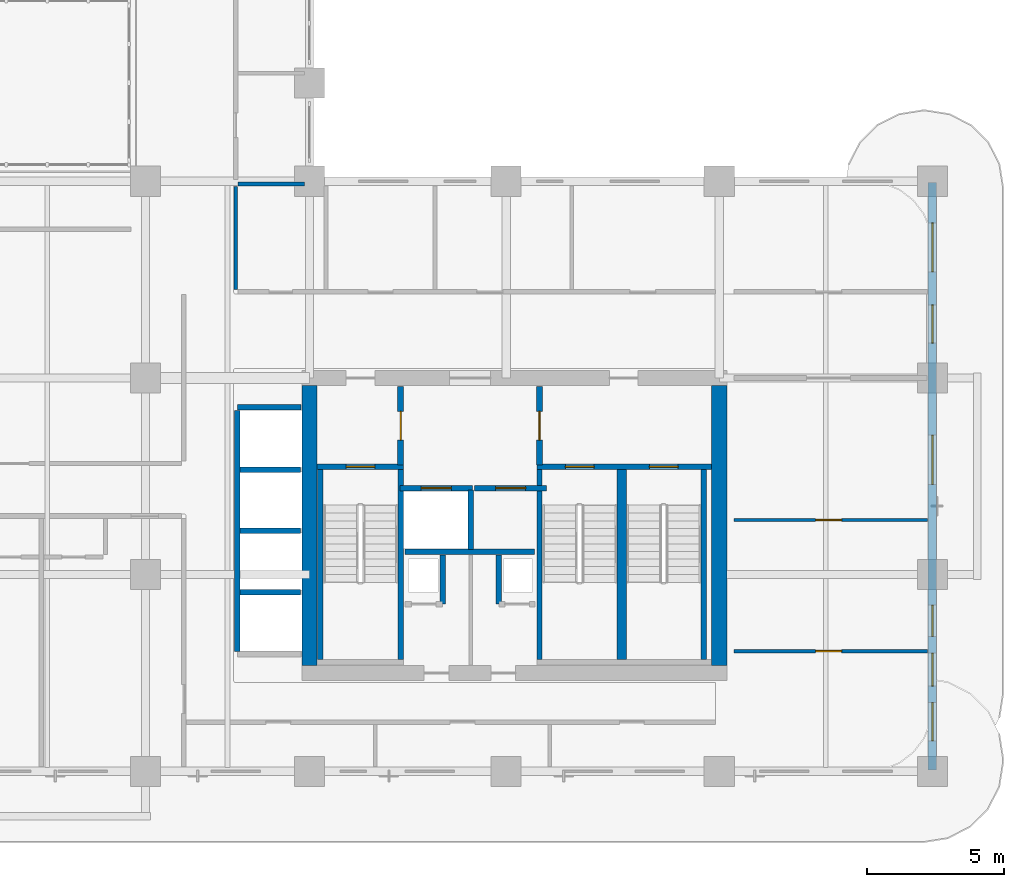
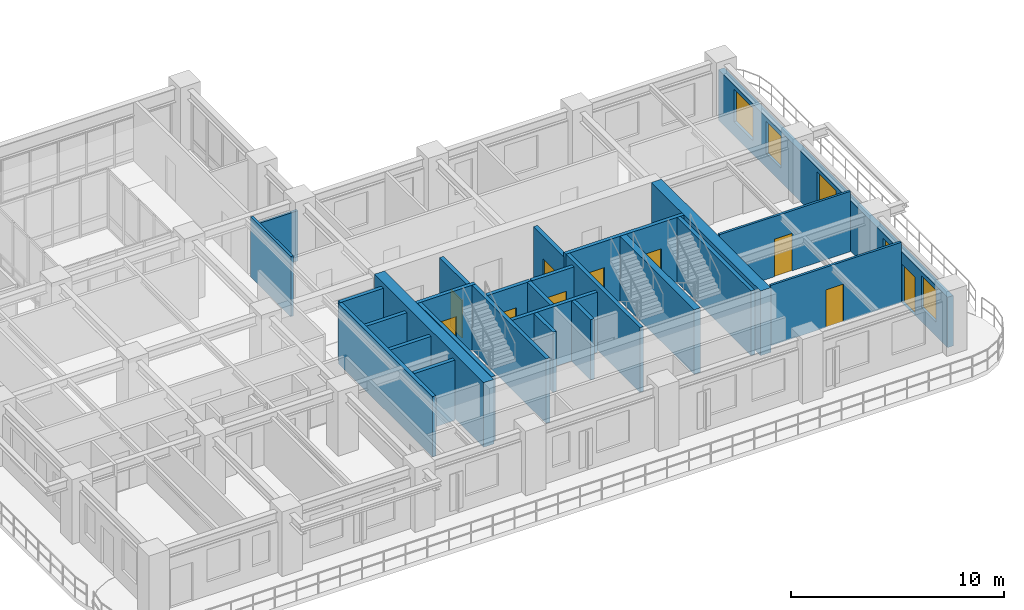
# One storey, part 14 of 22: 27 walls, 10 doors, 5 windows, 15 openings.
"""IFC4 building model written with IfcOpenShell, lengths in metres."""

from ifc_helpers import new_model, si_unit, derived_unit, direction, frame, frame_2d, origin, place, context, subcontext, project, spatial, rectangle, extrude, source, transform, mapped, material, layer, layer_set, type_object, type_shapes, element, fill, save


model = new_model("IFC4")

# Units and contexts
model_context = context("Model", 3, precision=1e-05, world=origin(), true_north=direction((0.0, 1.0)))
body_context = subcontext(model_context, "Body", "Model", "MODEL_VIEW")
ifc_project = project(units=[si_unit("LENGTHUNIT", "METRE"), si_unit("AREAUNIT", "SQUARE_METRE"), si_unit("VOLUMEUNIT", "CUBIC_METRE"), si_unit("PLANEANGLEUNIT", "RADIAN"), si_unit("MASSUNIT", "GRAM", prefix="KILO"), si_unit("THERMODYNAMICTEMPERATUREUNIT", "KELVIN"), si_unit("POWERUNIT", "WATT"), derived_unit("THERMALTRANSMITTANCEUNIT", [(si_unit("POWERUNIT", "WATT"), 1), (si_unit("AREAUNIT", "SQUARE_METRE"), -1), (si_unit("THERMODYNAMICTEMPERATUREUNIT", "KELVIN"), -1)])], contexts=[model_context])

# Site, building, storey
site_placement = place(None, origin())
site = spatial("IfcSite", under=ifc_project, at=site_placement, CompositionType="ELEMENT")
building_placement = place(site_placement, origin())
building = spatial("IfcBuilding", under=site, at=building_placement, Name="Zahravan Archway Hotel and Residences", CompositionType="ELEMENT")
storey_placement = place(building_placement, frame((0.0, 0.0, 76.800048828125)))
storey = spatial("IfcBuildingStorey", under=building, at=storey_placement, Name="L18", CompositionType="ELEMENT", Elevation=76.800048828125)

# Walls
ifc_material_1 = material(Name="Concrete C70/85", Category="concrete")
ifc_layer_1 = layer(ifc_material_1, 0.550048828125, Name="Concrete C70/85", Category="concrete")
ifc_layer_set_1 = layer_set([ifc_layer_1], Name="Concrete C70/85")
wall_type_1 = type_object("IfcWallType", Name="CW-CORE-550", PredefinedType="SHEAR", material=ifc_layer_set_1)
for number, where, z_axis, x_axis, name in (
    (1, (34.800048828125, 3.875, 0.0), (0.0, 0.0, 1.0), (0.0, 1.0, 0.0), "L18 Core A Shear W Wall 550 mm"),
    (2, (49.800048828125, 3.875, 0.0), (0.0, 0.0, 1.0), (0.0, 1.0, 0.0), "L18 Core A Shear E Wall 550 mm"),
):
    element("IfcWall", number, at=place(storey_placement, frame(where, z_axis=z_axis, x_axis=x_axis)), inside=storey, type_object=wall_type_1, Name=name, PredefinedType="SHEAR", context=body_context, shape_type="SweptSolid", body=[
        extrude(rectangle(XDim=10.25, YDim=0.550048828125, at=frame_2d((5.125, 0.0))), origin(), (0.0, 0.0, 1.0), 3.699951171875),
    ])

# Wall, openings, door, windows
ifc_material_2 = material(Name="Agra Buff Sandstone & Insulated Backup", Category="masonry")
ifc_layer_2 = layer(ifc_material_2, 0.320068359375, Name="Agra Buff Sandstone & Insulated Backup", Category="masonry")
ifc_layer_set_2 = layer_set([ifc_layer_2], Name="Agra Buff Sandstone & Insulated Backup")
wall_type_2 = type_object("IfcWallType", Name="EW-SAND-320", PredefinedType="SOLIDWALL", material=ifc_layer_set_2)
wall_1_placement = place(storey_placement, frame((57.60009765625, 0.050048828125, 0.0), z_axis=(0.0, 0.0, 1.0), x_axis=(0.0, 1.0, 0.0)))
wall_1 = element("IfcWall", 3, at=wall_1_placement, inside=storey, type_object=wall_type_2, Name="L18 Exterior Sandstone Wall WA-E", PredefinedType="SOLIDWALL", context=body_context, shape_type="SweptSolid", body=[
    extrude(rectangle(XDim=21.5, YDim=0.320068359375, at=frame_2d((10.75, 0.0))), origin(), (0.0, 0.0, 1.0), 2.885009765625),
])
opening_1_placement = place(wall_1_placement, frame((3.072021484375, 0.0, 0.0)))
opening_1 = element("IfcOpeningElement", 4, at=opening_1_placement, cuts=wall_1, Name="Opening ED-BL1", PredefinedType="OPENING", context=body_context, shape_type="SweptSolid", body=[
    extrude(rectangle(XDim=1.199951171875, YDim=2.199951171875, at=frame_2d((0.60009765625, 1.10009765625))), frame((0.0, 0.169921875, 0.0), z_axis=(0.0, -1.0, 0.0), x_axis=(1.0, 0.0, 0.0)), (0.0, 0.0, 1.0), 0.340087890625),
])
opening_2_placement = place(wall_1_placement, frame((1.06103515625, 0.0, 0.800048828125)))
opening_2 = element("IfcOpeningElement", 5, at=opening_2_placement, cuts=wall_1, Name="Opening W-03", PredefinedType="OPENING", context=body_context, shape_type="SweptSolid", body=[
    extrude(rectangle(XDim=1.39990234375, YDim=1.85009765625, at=frame_2d((0.699951171875, 0.925048828125))), frame((0.0, 0.169921875, 0.0), z_axis=(0.0, -1.0, 0.0), x_axis=(1.0, 0.0, 0.0)), (0.0, 0.0, 1.0), 0.340087890625),
])
opening_3_placement = place(wall_1_placement, frame((4.885986328125, 0.0, 0.800048828125)))
opening_3 = element("IfcOpeningElement", 6, at=opening_3_placement, cuts=wall_1, Name="Opening W-05", PredefinedType="OPENING", context=body_context, shape_type="SweptSolid", body=[
    extrude(rectangle(XDim=1.14990234375, YDim=1.800048828125, at=frame_2d((0.574951171875, 0.89990234375))), frame((0.0, 0.169921875, 0.0), z_axis=(0.0, -1.0, 0.0), x_axis=(1.0, 0.0, 0.0)), (0.0, 0.0, 1.0), 0.340087890625),
])
opening_4_placement = place(wall_1_placement, frame((10.4541015625, 0.0, 0.800048828125)))
opening_4 = element("IfcOpeningElement", 7, at=opening_4_placement, cuts=wall_1, Name="Opening W-02", PredefinedType="OPENING", context=body_context, shape_type="SweptSolid", body=[
    extrude(rectangle(XDim=1.800048828125, YDim=1.85009765625, at=frame_2d((0.89990234375, 0.925048828125))), frame((0.0, 0.169921875, 0.0), z_axis=(0.0, -1.0, 0.0), x_axis=(1.0, 0.0, 0.0)), (0.0, 0.0, 1.0), 0.340087890625),
])
opening_5_placement = place(wall_1_placement, frame((15.62109375, 0.0, 0.800048828125)))
opening_5 = element("IfcOpeningElement", 8, at=opening_5_placement, cuts=wall_1, Name="Opening W-03", PredefinedType="OPENING", context=body_context, shape_type="SweptSolid", body=[
    extrude(rectangle(XDim=1.39990234375, YDim=1.85009765625, at=frame_2d((0.699951171875, 0.925048828125))), frame((0.0, 0.169921875, 0.0), z_axis=(0.0, -1.0, 0.0), x_axis=(1.0, 0.0, 0.0)), (0.0, 0.0, 1.0), 0.340087890625),
])
opening_6_placement = place(wall_1_placement, frame((18.22900390625, 0.0, 0.800048828125)))
opening_6 = element("IfcOpeningElement", 9, at=opening_6_placement, cuts=wall_1, Name="Opening W-02", PredefinedType="OPENING", context=body_context, shape_type="SweptSolid", body=[
    extrude(rectangle(XDim=1.800048828125, YDim=1.85009765625, at=frame_2d((0.89990234375, 0.925048828125))), frame((0.0, 0.169921875, 0.0), z_axis=(0.0, -1.0, 0.0), x_axis=(1.0, 0.0, 0.0)), (0.0, 0.0, 1.0), 0.340087890625),
])
ifc_material_3 = material(Name="Bronze-Anodized Glazed Aluminium", Category="aluminium")
door_type_1 = type_object("IfcDoorType", Name="ED-BALC-1200", OperationType="SLIDING_TO_LEFT", PredefinedType="DOOR", material=ifc_material_3)
shared_shape_1 = source(origin(), body_context, "Body", "SweptSolid", [
    extrude(rectangle(XDim=1.199951171875, YDim=2.199951171875, at=frame_2d((0.60009765625, 1.10009765625))), frame((0.0, 0.02490234375, 0.0), z_axis=(0.0, -1.0, 0.0), x_axis=(1.0, 0.0, 0.0)), (0.0, 0.0, 1.0), 0.050048828125),
])
type_shapes(door_type_1, [shared_shape_1])
door_1_placement = place(opening_1_placement, origin())
door_1 = element("IfcDoor", 10, at=door_1_placement, inside=storey, type_object=door_type_1, Name="L18 Outdoor Access Sliding Door (SLB-BAL-L18-EA)", OperationType="SLIDING_TO_LEFT", OverallHeight=2.199951171875, OverallWidth=1.199951171875, PredefinedType="DOOR", context=body_context, shape_type="MappedRepresentation", body=[
    mapped(shared_shape_1, transform((0.0, 0.0, 0.0), scale=1.0)),
])
fill(opening_1, door_1)
ifc_material_4 = material(Name="Bronze-Anodized Thermal-Break Aluminium & Low-E Glass", Category="aluminium")
window_type_1 = type_object("IfcWindowType", Name="WIN-TWR-1400", PartitioningType="SINGLE_PANEL", PredefinedType="WINDOW", material=ifc_material_4)
shared_shape_2 = source(origin(), body_context, "Body", "SweptSolid", [
    extrude(rectangle(XDim=1.39990234375, YDim=1.85009765625, at=frame_2d((0.699951171875, 0.925048828125))), frame((0.0, 0.030029296875, 0.0), z_axis=(0.0, -1.0, 0.0), x_axis=(1.0, 0.0, 0.0)), (0.0, 0.0, 1.0), 0.06005859375),
])
type_shapes(window_type_1, [shared_shape_2])
window_1_placement = place(opening_2_placement, origin())
window_1 = element("IfcWindow", 11, at=window_1_placement, inside=storey, type_object=window_type_1, Name="L18 Loggia Window 12", OverallHeight=1.85009765625, OverallWidth=1.39990234375, PartitioningType="SINGLE_PANEL", PredefinedType="WINDOW", context=body_context, shape_type="MappedRepresentation", body=[
    mapped(shared_shape_2, transform((0.0, 0.0, 0.0), scale=1.0)),
])
fill(opening_2, window_1)
window_2_placement = place(opening_5_placement, origin())
window_2 = element("IfcWindow", 12, at=window_2_placement, inside=storey, type_object=window_type_1, Name="L18 Loggia Window 15", OverallHeight=1.85009765625, OverallWidth=1.39990234375, PartitioningType="SINGLE_PANEL", PredefinedType="WINDOW", context=body_context, shape_type="MappedRepresentation", body=[
    mapped(shared_shape_2, transform((0.0, 0.0, 0.0), scale=1.0)),
])
fill(opening_5, window_2)
window_type_2 = type_object("IfcWindowType", Name="WIN-TWR-1800", PartitioningType="DOUBLE_PANEL_VERTICAL", PredefinedType="WINDOW", material=ifc_material_4)
shared_shape_3 = source(origin(), body_context, "Body", "SweptSolid", [
    extrude(rectangle(XDim=1.800048828125, YDim=1.85009765625, at=frame_2d((0.89990234375, 0.925048828125))), frame((0.0, 0.030029296875, 0.0), z_axis=(0.0, -1.0, 0.0), x_axis=(1.0, 0.0, 0.0)), (0.0, 0.0, 1.0), 0.06005859375),
])
type_shapes(window_type_2, [shared_shape_3])
window_3_placement = place(opening_4_placement, origin())
window_3 = element("IfcWindow", 13, at=window_3_placement, inside=storey, type_object=window_type_2, Name="L18 Loggia Window 14", OverallHeight=1.85009765625, OverallWidth=1.800048828125, PartitioningType="DOUBLE_PANEL_VERTICAL", PredefinedType="WINDOW", context=body_context, shape_type="MappedRepresentation", body=[
    mapped(shared_shape_3, transform((0.0, 0.0, 0.0), scale=1.0)),
])
fill(opening_4, window_3)
window_4_placement = place(opening_6_placement, origin())
window_4 = element("IfcWindow", 14, at=window_4_placement, inside=storey, type_object=window_type_2, Name="L18 Loggia Window 16", OverallHeight=1.85009765625, OverallWidth=1.800048828125, PartitioningType="DOUBLE_PANEL_VERTICAL", PredefinedType="WINDOW", context=body_context, shape_type="MappedRepresentation", body=[
    mapped(shared_shape_3, transform((0.0, 0.0, 0.0), scale=1.0)),
])
fill(opening_6, window_4)
window_type_3 = type_object("IfcWindowType", Name="WIN-TWR-1150", PartitioningType="SINGLE_PANEL", PredefinedType="WINDOW", material=ifc_material_4)
shared_shape_4 = source(origin(), body_context, "Body", "SweptSolid", [
    extrude(rectangle(XDim=1.14990234375, YDim=1.800048828125, at=frame_2d((0.574951171875, 0.89990234375))), frame((0.0, 0.030029296875, 0.0), z_axis=(0.0, -1.0, 0.0), x_axis=(1.0, 0.0, 0.0)), (0.0, 0.0, 1.0), 0.06005859375),
])
type_shapes(window_type_3, [shared_shape_4])
window_5_placement = place(opening_3_placement, origin())
window_5 = element("IfcWindow", 15, at=window_5_placement, inside=storey, type_object=window_type_3, Name="L18 Loggia Window 13", OverallHeight=1.800048828125, OverallWidth=1.14990234375, PartitioningType="SINGLE_PANEL", PredefinedType="WINDOW", context=body_context, shape_type="MappedRepresentation", body=[
    mapped(shared_shape_4, transform((0.0, 0.0, 0.0), scale=1.0)),
])
fill(opening_3, window_5)

# Wall, opening, door
ifc_material_5 = material(Name="Fire-Rated Gypsum & Concrete Block", Category="concrete")
ifc_layer_3 = layer(ifc_material_5, 0.219970703125, Name="Fire-Rated Gypsum & Concrete Block", Category="concrete")
ifc_layer_set_3 = layer_set([ifc_layer_3], Name="Fire-Rated Gypsum & Concrete Block")
wall_type_3 = type_object("IfcWallType", Name="PW-COMP-220", PredefinedType="PARTITIONING", material=ifc_layer_set_3)
wall_2_placement = place(storey_placement, frame((38.139892578125, 11.219970703125, 0.0), z_axis=(0.0, 0.0, 1.0), x_axis=(0.0, 1.0, 0.0)))
wall_2 = element("IfcWall", 16, at=wall_2_placement, inside=storey, type_object=wall_type_3, Name="L18 Partition CA-LOBW", PredefinedType="PARTITIONING", context=body_context, shape_type="SweptSolid", body=[
    extrude(rectangle(XDim=2.860107421875, YDim=0.219970703125, at=frame_2d((1.43017578125, 0.0))), origin(), (0.0, 0.0, 1.0), 3.449951171875),
])
opening_7_placement = place(wall_2_placement, frame((0.905029296875, 0.0, 0.0)))
opening_7 = element("IfcOpeningElement", 17, at=opening_7_placement, cuts=wall_2, Name="Opening FD-L2", PredefinedType="OPENING", context=body_context, shape_type="SweptSolid", body=[
    extrude(rectangle(XDim=1.050048828125, YDim=2.14990234375, at=frame_2d((0.52490234375, 1.074951171875))), frame((0.0, 0.1201171875, 0.0), z_axis=(0.0, -1.0, 0.0), x_axis=(1.0, 0.0, 0.0)), (0.0, 0.0, 1.0), 0.239990234375),
])
ifc_material_6 = material(Name="Fire-Rated Painted Steel", Category="steel")
door_type_2 = type_object("IfcDoorType", Name="FD-LOBBY-1100", OperationType="NOTDEFINED", PredefinedType="DOOR", material=ifc_material_6)
shared_shape_5 = source(origin(), body_context, "Body", "SweptSolid", [
    extrude(rectangle(XDim=1.050048828125, YDim=2.14990234375, at=frame_2d((0.52490234375, 1.074951171875))), frame((0.0, 0.02490234375, 0.0), z_axis=(0.0, -1.0, 0.0), x_axis=(1.0, 0.0, 0.0)), (0.0, 0.0, 1.0), 0.050048828125),
])
type_shapes(door_type_2, [shared_shape_5])
door_2_placement = place(opening_7_placement, origin())
door_2 = element("IfcDoor", 18, at=door_2_placement, inside=storey, type_object=door_type_2, Name="L18 Core A West Stair to FSAE Lobby Door", OperationType="SINGLE_SWING_RIGHT", OverallHeight=2.14990234375, OverallWidth=1.050048828125, PredefinedType="DOOR", context=body_context, shape_type="MappedRepresentation", body=[
    mapped(shared_shape_5, transform((0.0, 0.0, 0.0), scale=1.0)),
])
fill(opening_7, door_2)

wall_3_placement = place(storey_placement, frame((43.219970703125, 11.219970703125, 0.0), z_axis=(0.0, 0.0, 1.0), x_axis=(0.0, 1.0, 0.0)))
wall_3 = element("IfcWall", 19, at=wall_3_placement, inside=storey, type_object=wall_type_3, Name="L18 Partition CA-LOBE", PredefinedType="PARTITIONING", context=body_context, shape_type="SweptSolid", body=[
    extrude(rectangle(XDim=2.860107421875, YDim=0.219970703125, at=frame_2d((1.43017578125, 0.0))), origin(), (0.0, 0.0, 1.0), 3.449951171875),
])
opening_8_placement = place(wall_3_placement, frame((0.905029296875, 0.0, 0.0)))
opening_8 = element("IfcOpeningElement", 20, at=opening_8_placement, cuts=wall_3, Name="Opening FD-L2", PredefinedType="OPENING", context=body_context, shape_type="SweptSolid", body=[
    extrude(rectangle(XDim=1.050048828125, YDim=2.14990234375, at=frame_2d((0.52490234375, 1.074951171875))), frame((0.0, 0.1201171875, 0.0), z_axis=(0.0, -1.0, 0.0), x_axis=(1.0, 0.0, 0.0)), (0.0, 0.0, 1.0), 0.239990234375),
])
door_3_placement = place(opening_8_placement, origin())
door_3 = element("IfcDoor", 21, at=door_3_placement, inside=storey, type_object=door_type_2, Name="L18 Core A East Stair to FSAE Lobby Door", OperationType="SINGLE_SWING_LEFT", OverallHeight=2.14990234375, OverallWidth=1.050048828125, PredefinedType="DOOR", context=body_context, shape_type="MappedRepresentation", body=[
    mapped(shared_shape_5, transform((0.0, 0.0, 0.0), scale=1.0)),
])
fill(opening_8, door_3)

ifc_material_7 = material(Name="Acoustic Stud Partition")
ifc_layer_4 = layer(ifc_material_7, 0.125, Name="Acoustic Stud Partition")
ifc_layer_set_4 = layer_set([ifc_layer_4], Name="Acoustic Stud Partition")
wall_type_4 = type_object("IfcWallType", Name="PW-INT-125", PredefinedType="PARTITIONING", material=ifc_layer_set_4)
wall_4_placement = place(storey_placement, frame((50.340087890625, 9.199951171875, 0.0), z_axis=(0.0, 0.0, 1.0), x_axis=(1.0, 0.0, 0.0)))
wall_4 = element("IfcWall", 22, at=wall_4_placement, inside=storey, type_object=wall_type_4, Name="L18 Partition EA-EH1", PredefinedType="PARTITIONING", context=body_context, shape_type="SweptSolid", body=[
    extrude(rectangle(XDim=7.091796875, YDim=0.125, at=frame_2d((3.5458984375, 0.0))), origin(), (0.0, 0.0, 1.0), 3.449951171875),
])
opening_9_placement = place(wall_4_placement, frame((2.985107421875, 0.0, 0.0)))
opening_9 = element("IfcOpeningElement", 23, at=opening_9_placement, cuts=wall_4, Name="Opening D-I1", PredefinedType="OPENING", context=body_context, shape_type="SweptSolid", body=[
    extrude(rectangle(XDim=0.949951171875, YDim=2.14990234375, at=frame_2d((0.47509765625, 1.074951171875))), frame((0.0, 0.072509765625, 0.0), z_axis=(0.0, -1.0, 0.0), x_axis=(1.0, 0.0, 0.0)), (0.0, 0.0, 1.0), 0.14501953125),
])
ifc_material_8 = material(Name="Hardwood Veneer Timber", Category="wood")
door_type_3 = type_object("IfcDoorType", Name="ID-INT-950", OperationType="NOTDEFINED", PredefinedType="DOOR", material=ifc_material_8)
shared_shape_6 = source(origin(), body_context, "Body", "SweptSolid", [
    extrude(rectangle(XDim=0.949951171875, YDim=2.14990234375, at=frame_2d((0.47509765625, 1.074951171875))), frame((0.0, 0.02490234375, 0.0), z_axis=(0.0, -1.0, 0.0), x_axis=(1.0, 0.0, 0.0)), (0.0, 0.0, 1.0), 0.050048828125),
])
type_shapes(door_type_3, [shared_shape_6])
door_4_placement = place(opening_9_placement, origin())
door_4 = element("IfcDoor", 24, at=door_4_placement, inside=storey, type_object=door_type_3, Name="L18 East Study Lounge Door", OperationType="SINGLE_SWING_LEFT", OverallHeight=2.14990234375, OverallWidth=0.949951171875, PredefinedType="DOOR", context=body_context, shape_type="MappedRepresentation", body=[
    mapped(shared_shape_6, transform((0.0, 0.0, 0.0), scale=1.0)),
])
fill(opening_9, door_4)

wall_5_placement = place(storey_placement, frame((50.340087890625, 4.39990234375, 0.0), z_axis=(0.0, 0.0, 1.0), x_axis=(1.0, 0.0, 0.0)))
wall_5 = element("IfcWall", 25, at=wall_5_placement, inside=storey, type_object=wall_type_4, Name="L18 Partition EA-EH2", PredefinedType="PARTITIONING", context=body_context, shape_type="SweptSolid", body=[
    extrude(rectangle(XDim=7.091796875, YDim=0.125, at=frame_2d((3.5458984375, 0.0))), origin(), (0.0, 0.0, 1.0), 3.449951171875),
])
opening_10_placement = place(wall_5_placement, frame((2.985107421875, 0.0, 0.0)))
opening_10 = element("IfcOpeningElement", 26, at=opening_10_placement, cuts=wall_5, Name="Opening D-I1", PredefinedType="OPENING", context=body_context, shape_type="SweptSolid", body=[
    extrude(rectangle(XDim=0.949951171875, YDim=2.14990234375, at=frame_2d((0.47509765625, 1.074951171875))), frame((0.0, 0.072509765625, 0.0), z_axis=(0.0, -1.0, 0.0), x_axis=(1.0, 0.0, 0.0)), (0.0, 0.0, 1.0), 0.14501953125),
])
door_5_placement = place(opening_10_placement, origin())
door_5 = element("IfcDoor", 27, at=door_5_placement, inside=storey, type_object=door_type_3, Name="L18 East Clinic Consult Door", OperationType="SINGLE_SWING_RIGHT", OverallHeight=2.14990234375, OverallWidth=0.949951171875, PredefinedType="DOOR", context=body_context, shape_type="MappedRepresentation", body=[
    mapped(shared_shape_6, transform((0.0, 0.0, 0.0), scale=1.0)),
])
fill(opening_10, door_5)

# Walls
ifc_layer_5 = layer(ifc_material_5, 0.199951171875, Name="Fire-Rated Gypsum & Concrete Block", Category="concrete")
ifc_layer_set_5 = layer_set([ifc_layer_5], Name="Fire-Rated Gypsum & Concrete Block")
wall_type_5 = type_object("IfcWallType", Name="PW-SHAFT-200", PredefinedType="PARTITIONING", material=ifc_layer_set_5)
wall_6_placement = place(storey_placement, frame((38.300048828125, 8.030029296875, 0.0), z_axis=(0.0, 0.0, 1.0), x_axis=(1.0, 0.0, 0.0)))
element("IfcWall", 28, at=wall_6_placement, inside=storey, type_object=wall_type_5, Name="L18 Partition CA-FLS", PredefinedType="PARTITIONING", context=body_context, shape_type="SweptSolid", body=[
    extrude(rectangle(XDim=4.739990234375, YDim=0.199951171875, at=frame_2d((2.3701171875, 0.0))), origin(), (0.0, 0.0, 1.0), 3.449951171875),
])
wall_7_placement = place(storey_placement, frame((40.699951171875, 8.1201171875, 0.0), z_axis=(0.0, 0.0, 1.0), x_axis=(0.0, 1.0, 0.0)))
element("IfcWall", 29, at=wall_7_placement, inside=storey, type_object=wall_type_5, Name="L18 Partition CA-FLM", PredefinedType="PARTITIONING", context=body_context, shape_type="SweptSolid", body=[
    extrude(rectangle(XDim=2.179931640625, YDim=0.199951171875, at=frame_2d((1.08984375, 0.0))), origin(), (0.0, 0.0, 1.0), 3.449951171875),
])
for number, where, z_axis, x_axis, name in (
    (30, (39.679931640625, 6.1298828125, 0.0), (0.0, 0.0, 1.0), (0.0, 1.0, 0.0), "L18 Partition CA-SMKE"),
    (31, (41.719970703125, 6.1298828125, 0.0), (0.0, 0.0, 1.0), (0.0, 1.0, 0.0), "L18 Partition CA-MEPW"),
):
    element("IfcWall", number, at=place(storey_placement, frame(where, z_axis=z_axis, x_axis=x_axis)), inside=storey, type_object=wall_type_5, Name=name, PredefinedType="PARTITIONING", context=body_context, shape_type="SweptSolid", body=[
        extrude(rectangle(XDim=1.7900390625, YDim=0.199951171875, at=frame_2d((0.89501953125, 0.0))), origin(), (0.0, 0.0, 1.0), 3.449951171875),
    ])
wall_8_placement = place(storey_placement, frame((32.159912109375, 13.320068359375, 0.0), z_axis=(0.0, 0.0, 1.0), x_axis=(1.0, 0.0, 0.0)))
element("IfcWall", 32, at=wall_8_placement, inside=storey, type_object=wall_type_5, Name="L18 Partition B3-N", PredefinedType="PARTITIONING", context=body_context, shape_type="SweptSolid", body=[
    extrude(rectangle(XDim=2.335205078125, YDim=0.199951171875, at=frame_2d((1.16748046875, 0.0))), origin(), (0.0, 0.0, 1.0), 3.449951171875),
])
wall_9_placement = place(storey_placement, frame((32.14990234375, 4.389892578125, 0.0), z_axis=(0.0, 0.0, 1.0), x_axis=(0.0, 1.0, 0.0)))
element("IfcWall", 33, at=wall_9_placement, inside=storey, type_object=wall_type_5, Name="L18 Partition B3-W", PredefinedType="PARTITIONING", context=body_context, shape_type="SweptSolid", body=[
    extrude(rectangle(XDim=8.820068359375, YDim=0.199951171875, at=frame_2d((4.41015625, 0.0))), origin(), (0.0, 0.0, 1.0), 3.449951171875),
])
for number, where, z_axis, x_axis, name in (
    (34, (32.260009765625, 6.56005859375, 0.0), (0.0, 0.0, 1.0), (1.0, 0.0, 0.0), "L18 Partition B3-D"),
    (35, (32.260009765625, 8.800048828125, 0.0), (0.0, 0.0, 1.0), (1.0, 0.0, 0.0), "L18 Partition B3-D"),
    (36, (32.260009765625, 11.0400390625, 0.0), (0.0, 0.0, 1.0), (1.0, 0.0, 0.0), "L18 Partition B3-D"),
):
    element("IfcWall", number, at=place(storey_placement, frame(where, z_axis=z_axis, x_axis=x_axis)), inside=storey, type_object=wall_type_5, Name=name, PredefinedType="PARTITIONING", context=body_context, shape_type="SweptSolid", body=[
        extrude(rectangle(XDim=2.205078125, YDim=0.199951171875, at=frame_2d((1.1025390625, 0.0))), origin(), (0.0, 0.0, 1.0), 3.449951171875),
    ])

# Wall, opening, door
wall_10_placement = place(storey_placement, frame((38.1201171875, 10.3701171875, 0.0), z_axis=(0.0, 0.0, 1.0), x_axis=(1.0, 0.0, 0.0)))
wall_10 = element("IfcWall", 37, at=wall_10_placement, inside=storey, type_object=wall_type_5, Name="L18 Lift FL-1 Front Wall", PredefinedType="PARTITIONING", context=body_context, shape_type="SweptSolid", body=[
    extrude(rectangle(XDim=2.639892578125, YDim=0.199951171875, at=frame_2d((1.31982421875, 0.0))), origin(), (0.0, 0.0, 1.0), 3.449951171875),
])
opening_11_placement = place(wall_10_placement, frame((0.77001953125, 0.0, 0.0)))
opening_11 = element("IfcOpeningElement", 38, at=opening_11_placement, cuts=wall_10, Name="Opening LD", PredefinedType="OPENING", context=body_context, shape_type="SweptSolid", body=[
    extrude(rectangle(XDim=1.10009765625, YDim=2.199951171875, at=frame_2d((0.550048828125, 1.10009765625))), frame((0.0, 0.10986328125, 0.0), z_axis=(0.0, -1.0, 0.0), x_axis=(1.0, 0.0, 0.0)), (0.0, 0.0, 1.0), 0.219970703125),
])
ifc_material_9 = material(Name="Brushed Stainless Steel", Category="steel")
door_type_4 = type_object("IfcDoorType", Name="DR-LIFT-LD", OperationType="SLIDING_TO_LEFT", PredefinedType="DOOR", material=ifc_material_9)
shared_shape_7 = source(origin(), body_context, "Body", "SweptSolid", [
    extrude(rectangle(XDim=1.10009765625, YDim=2.199951171875, at=frame_2d((0.550048828125, 1.10009765625))), frame((0.0, 0.02490234375, 0.0), z_axis=(0.0, -1.0, 0.0), x_axis=(1.0, 0.0, 0.0)), (0.0, 0.0, 1.0), 0.050048828125),
])
type_shapes(door_type_4, [shared_shape_7])
door_6_placement = place(opening_11_placement, origin())
door_6 = element("IfcDoor", 39, at=door_6_placement, inside=storey, type_object=door_type_4, Name="L18 Lift FL-1 Sliding Landing Door", OperationType="SLIDING_TO_LEFT", OverallHeight=2.199951171875, OverallWidth=1.10009765625, PredefinedType="DOOR", context=body_context, shape_type="MappedRepresentation", body=[
    mapped(shared_shape_7, transform((0.0, 0.0, 0.0), scale=1.0)),
])
fill(opening_11, door_6)

wall_11_placement = place(storey_placement, frame((40.840087890625, 10.3701171875, 0.0), z_axis=(0.0, 0.0, 1.0), x_axis=(1.0, 0.0, 0.0)))
wall_11 = element("IfcWall", 40, at=wall_11_placement, inside=storey, type_object=wall_type_5, Name="L18 Lift FL-2 Front Wall", PredefinedType="PARTITIONING", context=body_context, shape_type="SweptSolid", body=[
    extrude(rectangle(XDim=2.639892578125, YDim=0.199951171875, at=frame_2d((1.31982421875, 0.0))), origin(), (0.0, 0.0, 1.0), 3.449951171875),
])
opening_12_placement = place(wall_11_placement, frame((0.77001953125, 0.0, 0.0)))
opening_12 = element("IfcOpeningElement", 41, at=opening_12_placement, cuts=wall_11, Name="Opening LD", PredefinedType="OPENING", context=body_context, shape_type="SweptSolid", body=[
    extrude(rectangle(XDim=1.10009765625, YDim=2.199951171875, at=frame_2d((0.550048828125, 1.10009765625))), frame((0.0, 0.10986328125, 0.0), z_axis=(0.0, -1.0, 0.0), x_axis=(1.0, 0.0, 0.0)), (0.0, 0.0, 1.0), 0.219970703125),
])
door_7_placement = place(opening_12_placement, origin())
door_7 = element("IfcDoor", 42, at=door_7_placement, inside=storey, type_object=door_type_4, Name="L18 Lift FL-2 Sliding Landing Door", OperationType="SLIDING_TO_LEFT", OverallHeight=2.199951171875, OverallWidth=1.10009765625, PredefinedType="DOOR", context=body_context, shape_type="MappedRepresentation", body=[
    mapped(shared_shape_7, transform((0.0, 0.0, 0.0), scale=1.0)),
])
fill(opening_12, door_7)

# Walls
ifc_material_10 = material(Name="Moisture-Resistant Blockwork", Category="masonry")
ifc_layer_6 = layer(ifc_material_10, 0.139892578125, Name="Moisture-Resistant Blockwork", Category="masonry")
ifc_layer_set_6 = layer_set([ifc_layer_6], Name="Moisture-Resistant Blockwork")
wall_type_6 = type_object("IfcWallType", Name="PW-WET-140", PredefinedType="PARTITIONING", material=ifc_layer_set_6)
wall_12_placement = place(storey_placement, frame((32.10009765625, 17.639892578125, 0.0), z_axis=(0.0, 0.0, 1.0), x_axis=(0.0, 1.0, 0.0)))
element("IfcWall", 43, at=wall_12_placement, inside=storey, type_object=wall_type_6, Name="L18 Partition NE-W0", PredefinedType="PARTITIONING", context=body_context, shape_type="SweptSolid", body=[
    extrude(rectangle(XDim=3.77001953125, YDim=0.139892578125, at=frame_2d((1.885009765625, 0.0))), origin(), (0.0, 0.0, 1.0), 3.449951171875),
])
wall_13_placement = place(storey_placement, frame((32.18994140625, 21.5, 0.0), z_axis=(0.0, 0.0, 1.0), x_axis=(1.0, 0.0, 0.0)))
element("IfcWall", 44, at=wall_13_placement, inside=storey, type_object=wall_type_6, Name="L18 Partition ATR-ES", PredefinedType="PARTITIONING", context=body_context, shape_type="SweptSolid", body=[
    extrude(rectangle(XDim=2.420166015625, YDim=0.139892578125, at=frame_2d((1.2099609375, 0.0))), origin(), (0.0, 0.0, 1.0), 2.885009765625),
])
ifc_material_11 = material(Name="Concrete C50/60", Category="concrete")
ifc_layer_7 = layer(ifc_material_11, 0.199951171875, Name="Concrete C50/60", Category="concrete")
ifc_layer_set_7 = layer_set([ifc_layer_7], Name="Concrete C50/60")
wall_type_7 = type_object("IfcWallType", Name="SW-STAIR-200", PredefinedType="SHEAR", material=ifc_layer_set_7)
for number, where, z_axis, x_axis, name in (
    (45, (35.199951171875, 4.10009765625, 0.0), (0.0, 0.0, 1.0), (0.0, 1.0, 0.0), "L18 Stairwell RC Wall CA-SA1W"),
    (46, (38.139892578125, 4.10009765625, 0.0), (0.0, 0.0, 1.0), (0.0, 1.0, 0.0), "L18 Stairwell RC Wall CA-SA1E"),
):
    element("IfcWall", number, at=place(storey_placement, frame(where, z_axis=z_axis, x_axis=x_axis)), inside=storey, type_object=wall_type_7, Name=name, PredefinedType="SHEAR", context=body_context, shape_type="SweptSolid", body=[
        extrude(rectangle(XDim=6.949951171875, YDim=0.199951171875, at=frame_2d((3.47509765625, 0.0))), origin(), (0.0, 0.0, 1.0), 3.699951171875),
    ])

# Wall, opening, door
wall_14_placement = place(storey_placement, frame((35.074951171875, 11.14990234375, 0.0), z_axis=(0.0, 0.0, 1.0), x_axis=(1.0, 0.0, 0.0)))
wall_14 = element("IfcWall", 47, at=wall_14_placement, inside=storey, type_object=wall_type_7, Name="L18 Stairwell RC Wall CA-SA1N", PredefinedType="SHEAR", context=body_context, shape_type="SweptSolid", body=[
    extrude(rectangle(XDim=3.1650390625, YDim=0.199951171875, at=frame_2d((1.58251953125, 0.0))), origin(), (0.0, 0.0, 1.0), 3.699951171875),
])
opening_13_placement = place(wall_14_placement, frame((1.070068359375, 0.0, 0.0)))
opening_13 = element("IfcOpeningElement", 48, at=opening_13_placement, cuts=wall_14, Name="Opening FD-S1", PredefinedType="OPENING", context=body_context, shape_type="SweptSolid", body=[
    extrude(rectangle(XDim=1.050048828125, YDim=2.199951171875, at=frame_2d((0.52490234375, 1.10009765625))), frame((0.0, 0.10986328125, 0.0), z_axis=(0.0, -1.0, 0.0), x_axis=(1.0, 0.0, 0.0)), (0.0, 0.0, 1.0), 0.219970703125),
])
door_type_5 = type_object("IfcDoorType", Name="FD-STAIR-1100", OperationType="NOTDEFINED", PredefinedType="DOOR", material=ifc_material_6)
shared_shape_8 = source(origin(), body_context, "Body", "SweptSolid", [
    extrude(rectangle(XDim=1.050048828125, YDim=2.199951171875, at=frame_2d((0.52490234375, 1.10009765625))), frame((0.0, 0.02490234375, 0.0), z_axis=(0.0, -1.0, 0.0), x_axis=(1.0, 0.0, 0.0)), (0.0, 0.0, 1.0), 0.050048828125),
])
type_shapes(door_type_5, [shared_shape_8])
door_8_placement = place(opening_13_placement, origin())
door_8 = element("IfcDoor", 49, at=door_8_placement, inside=storey, type_object=door_type_5, Name="L18 Stair ST-A1 Door", OperationType="SINGLE_SWING_LEFT", OverallHeight=2.199951171875, OverallWidth=1.050048828125, PredefinedType="DOOR", context=body_context, shape_type="MappedRepresentation", body=[
    mapped(shared_shape_8, transform((0.0, 0.0, 0.0), scale=1.0)),
])
fill(opening_13, door_8)

# Walls
for number, where, z_axis, x_axis, name in (
    (50, (43.219970703125, 4.10009765625, 0.0), (0.0, 0.0, 1.0), (0.0, 1.0, 0.0), "L18 Stairwell RC Wall CA-SA2W"),
    (51, (49.239990234375, 4.10009765625, 0.0), (0.0, 0.0, 1.0), (0.0, 1.0, 0.0), "L18 Stairwell RC Wall CA-SA3E"),
):
    element("IfcWall", number, at=place(storey_placement, frame(where, z_axis=z_axis, x_axis=x_axis)), inside=storey, type_object=wall_type_7, Name=name, PredefinedType="SHEAR", context=body_context, shape_type="SweptSolid", body=[
        extrude(rectangle(XDim=6.949951171875, YDim=0.199951171875, at=frame_2d((3.47509765625, 0.0))), origin(), (0.0, 0.0, 1.0), 3.699951171875),
    ])

# Wall, openings, doors
wall_15_placement = place(storey_placement, frame((43.1201171875, 11.14990234375, 0.0), z_axis=(0.0, 0.0, 1.0), x_axis=(1.0, 0.0, 0.0)))
wall_15 = element("IfcWall", 52, at=wall_15_placement, inside=storey, type_object=wall_type_7, Name="L18 Stairwell RC Wall CA-SA23N", PredefinedType="SHEAR", context=body_context, shape_type="SweptSolid", body=[
    extrude(rectangle(XDim=6.40478515625, YDim=0.199951171875, at=frame_2d((3.202392578125, 0.0))), origin(), (0.0, 0.0, 1.0), 3.699951171875),
])
opening_14_placement = place(wall_15_placement, frame((1.044921875, 0.0, 0.0)))
opening_14 = element("IfcOpeningElement", 53, at=opening_14_placement, cuts=wall_15, Name="Opening FD-S1", PredefinedType="OPENING", context=body_context, shape_type="SweptSolid", body=[
    extrude(rectangle(XDim=1.050048828125, YDim=2.199951171875, at=frame_2d((0.52490234375, 1.10009765625))), frame((0.0, 0.10986328125, 0.0), z_axis=(0.0, -1.0, 0.0), x_axis=(1.0, 0.0, 0.0)), (0.0, 0.0, 1.0), 0.219970703125),
])
opening_15_placement = place(wall_15_placement, frame((4.125, 0.0, 0.0)))
opening_15 = element("IfcOpeningElement", 54, at=opening_15_placement, cuts=wall_15, Name="Opening FD-S1", PredefinedType="OPENING", context=body_context, shape_type="SweptSolid", body=[
    extrude(rectangle(XDim=1.050048828125, YDim=2.199951171875, at=frame_2d((0.52490234375, 1.10009765625))), frame((0.0, 0.10986328125, 0.0), z_axis=(0.0, -1.0, 0.0), x_axis=(1.0, 0.0, 0.0)), (0.0, 0.0, 1.0), 0.219970703125),
])
door_9_placement = place(opening_14_placement, origin())
door_9 = element("IfcDoor", 55, at=door_9_placement, inside=storey, type_object=door_type_5, Name="L18 Stair ST-A2 Door", OperationType="SINGLE_SWING_RIGHT", OverallHeight=2.199951171875, OverallWidth=1.050048828125, PredefinedType="DOOR", context=body_context, shape_type="MappedRepresentation", body=[
    mapped(shared_shape_8, transform((0.0, 0.0, 0.0), scale=1.0)),
])
fill(opening_14, door_9)
door_10_placement = place(opening_15_placement, origin())
door_10 = element("IfcDoor", 56, at=door_10_placement, inside=storey, type_object=door_type_5, Name="L18 Stair ST-A3 Door", OperationType="SINGLE_SWING_LEFT", OverallHeight=2.199951171875, OverallWidth=1.050048828125, PredefinedType="DOOR", context=body_context, shape_type="MappedRepresentation", body=[
    mapped(shared_shape_8, transform((0.0, 0.0, 0.0), scale=1.0)),
])
fill(opening_15, door_10)

# Wall
ifc_layer_8 = layer(ifc_material_11, 0.340087890625, Name="Concrete C50/60", Category="concrete")
ifc_layer_set_8 = layer_set([ifc_layer_8], Name="Concrete C50/60")
wall_type_8 = type_object("IfcWallType", Name="SW-STAIR-340", PredefinedType="SHEAR", material=ifc_layer_set_8)
wall_16_placement = place(storey_placement, frame((46.22998046875, 4.10009765625, 0.0), z_axis=(0.0, 0.0, 1.0), x_axis=(0.0, 1.0, 0.0)))
element("IfcWall", 57, at=wall_16_placement, inside=storey, type_object=wall_type_8, Name="L18 Stairwell RC Wall CA-SA23M", PredefinedType="SHEAR", context=body_context, shape_type="SweptSolid", body=[
    extrude(rectangle(XDim=6.949951171875, YDim=0.340087890625, at=frame_2d((3.47509765625, 0.0))), origin(), (0.0, 0.0, 1.0), 3.699951171875),
])

save(model, "model.ifc")
